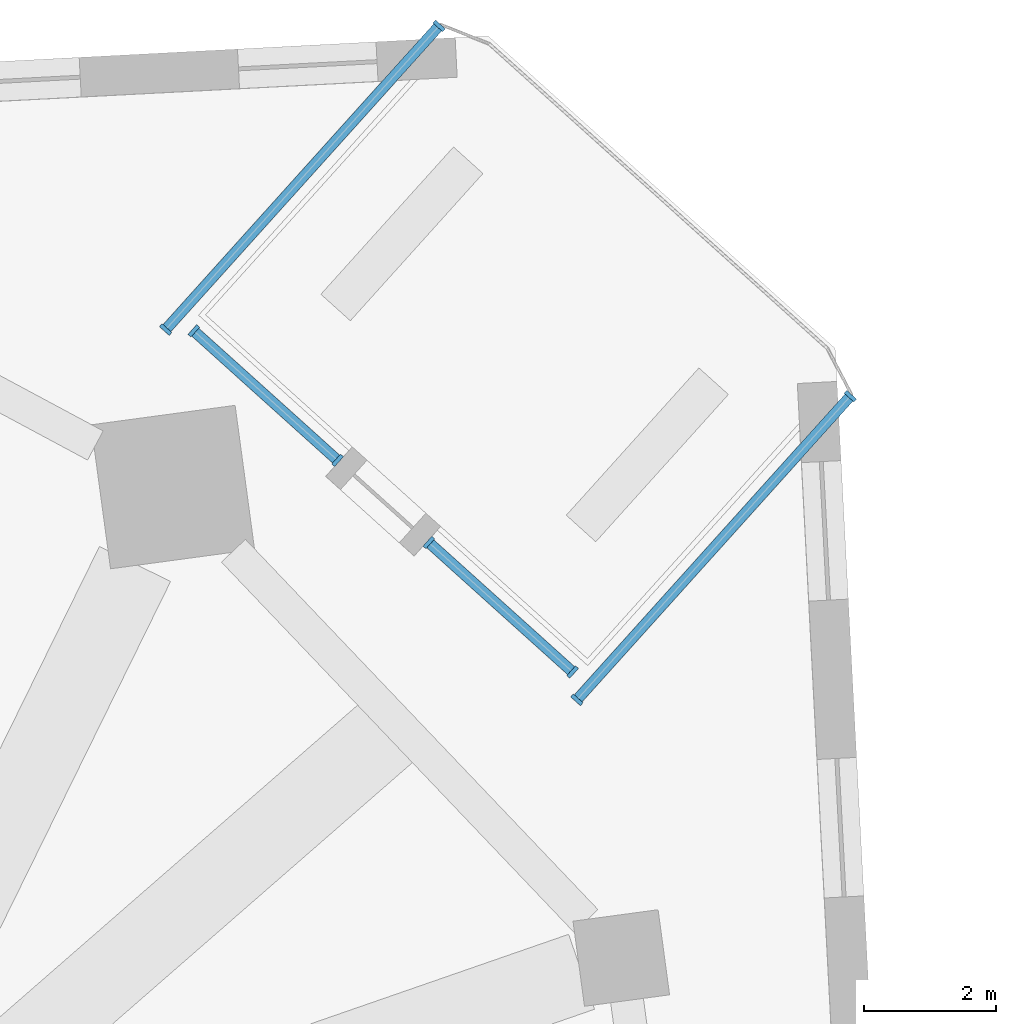
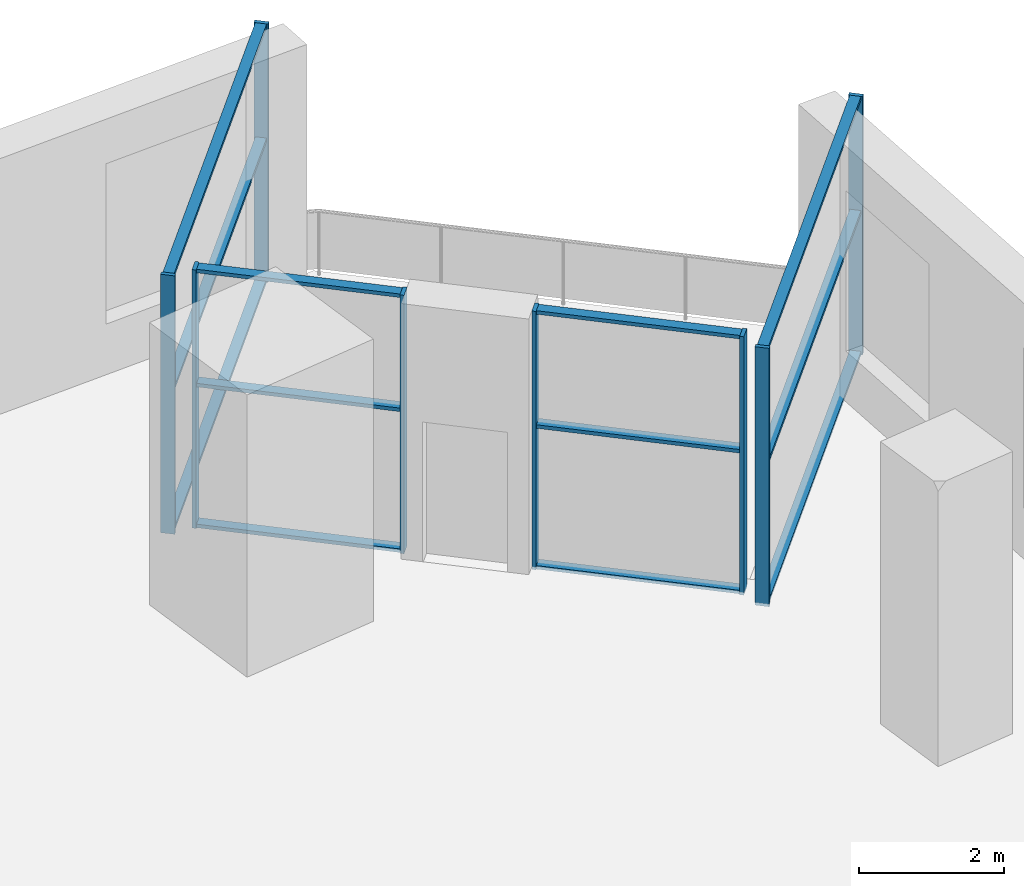
# One storey, part 2 of 10: 20 members, 4 elements without a shape of their own.
"""IFC4 building model written with IfcOpenShell, lengths in metres."""

from ifc_helpers import new_model, si_unit, direction, frame, origin, origin_2d, place, context, subcontext, project, spatial, rectangle, extrude, material, material_profile, profile_set, type_object, element, aggregate, save


model = new_model("IFC4")

# Units and contexts
model_context = context("Model", 3, precision=1e-05, world=origin(), true_north=direction((0.0, 1.0)))
body_context = subcontext(model_context, "Body", "Model", "MODEL_VIEW")
ifc_project = project(units=[si_unit("LENGTHUNIT", "METRE"), si_unit("AREAUNIT", "SQUARE_METRE"), si_unit("VOLUMEUNIT", "CUBIC_METRE"), si_unit("PLANEANGLEUNIT", "RADIAN"), si_unit("MASSUNIT", "GRAM", prefix="KILO")], contexts=[model_context])

# Site, building, storey
site_placement = place(None, origin())
site = spatial("IfcSite", under=ifc_project, at=site_placement, CompositionType="ELEMENT")
building_placement = place(site_placement, origin())
building = spatial("IfcBuilding", under=site, at=building_placement, Name="Dilmun Exchange Tower", CompositionType="ELEMENT")
storey_placement = place(building_placement, frame((0.0, 0.0, 32.10009765625)))
storey = spatial("IfcBuildingStorey", under=building, at=storey_placement, Name="L07", CompositionType="ELEMENT", Elevation=32.10009765625)

# Curtain wall, members
ifc_material_1 = material(Name="Anodised aluminium and clear glass", Category="aluminium")
curtain_wall_type = type_object("IfcCurtainWallType", Name="Garden corner glazing", PredefinedType="NOTDEFINED", material=ifc_material_1)
curtain_wall_1_placement = place(storey_placement, origin())
curtain_wall_1 = element("IfcCurtainWall", 1, at=curtain_wall_1_placement, inside=storey, type_object=curtain_wall_type, Name="Garden corner glazing run GC1.1", PredefinedType="NOTDEFINED")
ifc_material_2 = material(Name="Anodised aluminium", Category="aluminium")
ifc_material_profile_1 = material_profile(ifc_material_2, rectangle(XDim=0.199951171875, YDim=0.06005859375, at=origin_2d()), Name="AL 60x200")
ifc_profile_set_1 = profile_set([ifc_material_profile_1], Name="Anodised aluminium")
member_type_1 = type_object("IfcMemberType", Name="Garden corner glazing mullion 60 x 200", PredefinedType="MULLION", material=ifc_profile_set_1)
member_1_placement = place(storey_placement, frame((28.879638671875, 25.8134765625, 0.0), z_axis=(0.0, 0.0, 1.0), x_axis=(0.743150048737, -0.669124805296, 0.0)))
member_1 = element("IfcMember", 2, at=member_1_placement, type_object=member_type_1, Name="GC1.1 mullion 1", PredefinedType="MULLION", context=body_context, shape_type="SweptSolid", body=[
    extrude(rectangle(XDim=0.199951171875, YDim=0.06005859375, at=origin_2d()), origin(), (0.0, 0.0, 1.0), 4.349853515625),
])
member_2_placement = place(storey_placement, frame((24.739990234375, 21.216064453125, 0.0), z_axis=(0.0, 0.0, 1.0), x_axis=(0.743150048737, -0.669124805296, 0.0)))
member_2 = element("IfcMember", 3, at=member_2_placement, type_object=member_type_1, Name="GC1.1 mullion 2", PredefinedType="MULLION", context=body_context, shape_type="SweptSolid", body=[
    extrude(rectangle(XDim=0.199951171875, YDim=0.06005859375, at=origin_2d()), origin(), (0.0, 0.0, 1.0), 4.349853515625),
])

curtain_wall_2_placement = place(storey_placement, origin())
curtain_wall_2 = element("IfcCurtainWall", 4, at=curtain_wall_2_placement, inside=storey, type_object=curtain_wall_type, Name="Garden corner glazing run GC2.1", PredefinedType="NOTDEFINED")
member_3_placement = place(storey_placement, frame((24.67529296875, 21.637451171875, 0.0), z_axis=(0.0, 0.0, 1.0), x_axis=(-0.669136610404, -0.743139419367, 0.0)))
member_3 = element("IfcMember", 5, at=member_3_placement, type_object=member_type_1, Name="GC2.1 mullion 1", PredefinedType="MULLION", context=body_context, shape_type="SweptSolid", body=[
    extrude(rectangle(XDim=0.199951171875, YDim=0.06005859375, at=origin_2d()), origin(), (0.0, 0.0, 1.0), 4.349853515625),
])
member_4_placement = place(storey_placement, frame((22.498779296875, 23.597412109375, 0.0), z_axis=(0.0, 0.0, 1.0), x_axis=(-0.669136610404, -0.743139419367, 0.0)))
member_4 = element("IfcMember", 6, at=member_4_placement, type_object=member_type_1, Name="GC2.1 mullion 2", PredefinedType="MULLION", context=body_context, shape_type="SweptSolid", body=[
    extrude(rectangle(XDim=0.199951171875, YDim=0.06005859375, at=origin_2d()), origin(), (0.0, 0.0, 1.0), 4.349853515625),
])

curtain_wall_3_placement = place(storey_placement, origin())
curtain_wall_3 = element("IfcCurtainWall", 7, at=curtain_wall_3_placement, inside=storey, type_object=curtain_wall_type, Name="Garden corner glazing run GC2.3", PredefinedType="NOTDEFINED")
member_5_placement = place(storey_placement, frame((21.116455078125, 24.842041015625, 0.0), z_axis=(0.0, 0.0, 1.0), x_axis=(-0.669118133962, -0.743156055484, 0.0)))
member_5 = element("IfcMember", 8, at=member_5_placement, type_object=member_type_1, Name="GC2.3 mullion 1", PredefinedType="MULLION", context=body_context, shape_type="SweptSolid", body=[
    extrude(rectangle(XDim=0.199951171875, YDim=0.06005859375, at=origin_2d()), origin(), (0.0, 0.0, 1.0), 4.349853515625),
])
member_6_placement = place(storey_placement, frame((18.939697265625, 26.802001953125, 0.0), z_axis=(0.0, 0.0, 1.0), x_axis=(-0.669118133962, -0.743156055484, 0.0)))
member_6 = element("IfcMember", 9, at=member_6_placement, type_object=member_type_1, Name="GC2.3 mullion 2", PredefinedType="MULLION", context=body_context, shape_type="SweptSolid", body=[
    extrude(rectangle(XDim=0.199951171875, YDim=0.06005859375, at=origin_2d()), origin(), (0.0, 0.0, 1.0), 4.349853515625),
])

curtain_wall_4_placement = place(storey_placement, origin())
curtain_wall_4 = element("IfcCurtainWall", 10, at=curtain_wall_4_placement, inside=storey, type_object=curtain_wall_type, Name="Garden corner glazing run GC3.1", PredefinedType="NOTDEFINED")
member_7_placement = place(storey_placement, frame((18.513671875, 26.822021484375, 0.0), z_axis=(0.0, 0.0, 1.0), x_axis=(-0.743150048737, 0.669124805296, 0.0)))
member_7 = element("IfcMember", 11, at=member_7_placement, type_object=member_type_1, Name="GC3.1 mullion 1", PredefinedType="MULLION", context=body_context, shape_type="SweptSolid", body=[
    extrude(rectangle(XDim=0.199951171875, YDim=0.06005859375, at=origin_2d()), origin(), (0.0, 0.0, 1.0), 4.349853515625),
])
member_8_placement = place(storey_placement, frame((22.6533203125, 31.419677734375, 0.0), z_axis=(0.0, 0.0, 1.0), x_axis=(-0.743150048737, 0.669124805296, 0.0)))
member_8 = element("IfcMember", 12, at=member_8_placement, type_object=member_type_1, Name="GC3.1 mullion 2", PredefinedType="MULLION", context=body_context, shape_type="SweptSolid", body=[
    extrude(rectangle(XDim=0.199951171875, YDim=0.06005859375, at=origin_2d()), origin(), (0.0, 0.0, 1.0), 4.349853515625),
])

# Member
ifc_material_profile_2 = material_profile(ifc_material_2, rectangle(XDim=0.159912109375, YDim=0.06005859375, at=origin_2d()), Name="AL 60x160")
ifc_profile_set_2 = profile_set([ifc_material_profile_2], Name="Anodised aluminium")
member_type_2 = type_object("IfcMemberType", Name="Garden corner glazing transom 60 x 160", PredefinedType="USERDEFINED", material=ifc_profile_set_2)
member_9_placement = place(storey_placement, frame((28.859375, 25.791259765625, 0.02978515625), z_axis=(-0.669116630944, -0.743157408759, 0.0), x_axis=(0.743157408759, -0.669116630944, 0.0)))
member_9 = element("IfcMember", 13, at=member_9_placement, type_object=member_type_2, Name="GC1.1 transom 1.1", ObjectType="TRANSOM", PredefinedType="USERDEFINED", context=body_context, shape_type="SweptSolid", body=[
    extrude(rectangle(XDim=0.159912109375, YDim=0.06005859375, at=origin_2d()), origin(), (0.0, 0.0, 1.0), 6.12646484375),
])

member_10_placement = place(storey_placement, frame((28.859375, 25.791259765625, 2.39990234375), z_axis=(-0.669116630944, -0.743157408759, 0.0), x_axis=(0.743157408759, -0.669116630944, 0.0)))
member_10 = element("IfcMember", 14, at=member_10_placement, type_object=member_type_2, Name="GC1.1 transom 1.2", ObjectType="TRANSOM", PredefinedType="USERDEFINED", context=body_context, shape_type="SweptSolid", body=[
    extrude(rectangle(XDim=0.159912109375, YDim=0.06005859375, at=origin_2d()), origin(), (0.0, 0.0, 1.0), 6.12646484375),
])

member_11_placement = place(storey_placement, frame((28.859375, 25.791259765625, 4.31982421875), z_axis=(-0.669116630944, -0.743157408759, 0.0), x_axis=(0.743157408759, -0.669116630944, 0.0)))
member_11 = element("IfcMember", 15, at=member_11_placement, type_object=member_type_2, Name="GC1.1 transom 1.3", ObjectType="TRANSOM", PredefinedType="USERDEFINED", context=body_context, shape_type="SweptSolid", body=[
    extrude(rectangle(XDim=0.159912109375, YDim=0.06005859375, at=origin_2d()), origin(), (0.0, 0.0, 1.0), 6.12646484375),
])

aggregate(curtain_wall_1, [member_1, member_2, member_9, member_10, member_11])

member_12_placement = place(storey_placement, frame((24.653076171875, 21.657470703125, 0.02978515625), z_axis=(-0.743112180802, 0.669166860166, 0.0), x_axis=(-0.669166860166, -0.743112180802, 0.0)))
member_12 = element("IfcMember", 16, at=member_12_placement, type_object=member_type_2, Name="GC2.1 transom 1.1", ObjectType="TRANSOM", PredefinedType="USERDEFINED", context=body_context, shape_type="SweptSolid", body=[
    extrude(rectangle(XDim=0.159912109375, YDim=0.06005859375, at=origin_2d()), origin(), (0.0, 0.0, 1.0), 2.869140625),
])

member_13_placement = place(storey_placement, frame((24.653076171875, 21.657470703125, 2.39990234375), z_axis=(-0.743112180802, 0.669166860166, 0.0), x_axis=(-0.669166860166, -0.743112180802, 0.0)))
member_13 = element("IfcMember", 17, at=member_13_placement, type_object=member_type_2, Name="GC2.1 transom 1.2", ObjectType="TRANSOM", PredefinedType="USERDEFINED", context=body_context, shape_type="SweptSolid", body=[
    extrude(rectangle(XDim=0.159912109375, YDim=0.06005859375, at=origin_2d()), origin(), (0.0, 0.0, 1.0), 2.869140625),
])

member_14_placement = place(storey_placement, frame((24.653076171875, 21.657470703125, 4.31982421875), z_axis=(-0.743112180802, 0.669166860166, 0.0), x_axis=(-0.669166860166, -0.743112180802, 0.0)))
member_14 = element("IfcMember", 18, at=member_14_placement, type_object=member_type_2, Name="GC2.1 transom 1.3", ObjectType="TRANSOM", PredefinedType="USERDEFINED", context=body_context, shape_type="SweptSolid", body=[
    extrude(rectangle(XDim=0.159912109375, YDim=0.06005859375, at=origin_2d()), origin(), (0.0, 0.0, 1.0), 2.869140625),
])

aggregate(curtain_wall_2, [member_3, member_4, member_12, member_13, member_14])

member_15_placement = place(storey_placement, frame((21.093994140625, 24.862060546875, 0.02978515625), z_axis=(-0.743154495301, 0.669119866776, 0.0), x_axis=(-0.669119866776, -0.743154495301, 0.0)))
member_15 = element("IfcMember", 19, at=member_15_placement, type_object=member_type_2, Name="GC2.3 transom 1.1", ObjectType="TRANSOM", PredefinedType="USERDEFINED", context=body_context, shape_type="SweptSolid", body=[
    extrude(rectangle(XDim=0.159912109375, YDim=0.06005859375, at=origin_2d()), origin(), (0.0, 0.0, 1.0), 2.868896484375),
])

member_16_placement = place(storey_placement, frame((21.093994140625, 24.862060546875, 2.39990234375), z_axis=(-0.743154495301, 0.669119866776, 0.0), x_axis=(-0.669119866776, -0.743154495301, 0.0)))
member_16 = element("IfcMember", 20, at=member_16_placement, type_object=member_type_2, Name="GC2.3 transom 1.2", ObjectType="TRANSOM", PredefinedType="USERDEFINED", context=body_context, shape_type="SweptSolid", body=[
    extrude(rectangle(XDim=0.159912109375, YDim=0.06005859375, at=origin_2d()), origin(), (0.0, 0.0, 1.0), 2.868896484375),
])

member_17_placement = place(storey_placement, frame((21.093994140625, 24.862060546875, 4.31982421875), z_axis=(-0.743154495301, 0.669119866776, 0.0), x_axis=(-0.669119866776, -0.743154495301, 0.0)))
member_17 = element("IfcMember", 21, at=member_17_placement, type_object=member_type_2, Name="GC2.3 transom 1.3", ObjectType="TRANSOM", PredefinedType="USERDEFINED", context=body_context, shape_type="SweptSolid", body=[
    extrude(rectangle(XDim=0.159912109375, YDim=0.06005859375, at=origin_2d()), origin(), (0.0, 0.0, 1.0), 2.868896484375),
])

aggregate(curtain_wall_3, [member_5, member_6, member_15, member_16, member_17])

member_18_placement = place(storey_placement, frame((18.533935546875, 26.844482421875, 0.02978515625), z_axis=(0.669136446924, 0.743139566568, 0.0), x_axis=(-0.743139566568, 0.669136446924, 0.0)))
member_18 = element("IfcMember", 22, at=member_18_placement, type_object=member_type_2, Name="GC3.1 transom 1.1", ObjectType="TRANSOM", PredefinedType="USERDEFINED", context=body_context, shape_type="SweptSolid", body=[
    extrude(rectangle(XDim=0.159912109375, YDim=0.06005859375, at=origin_2d()), origin(), (0.0, 0.0, 1.0), 6.12646484375),
])

member_19_placement = place(storey_placement, frame((18.533935546875, 26.844482421875, 2.39990234375), z_axis=(0.669136446924, 0.743139566568, 0.0), x_axis=(-0.743139566568, 0.669136446924, 0.0)))
member_19 = element("IfcMember", 23, at=member_19_placement, type_object=member_type_2, Name="GC3.1 transom 1.2", ObjectType="TRANSOM", PredefinedType="USERDEFINED", context=body_context, shape_type="SweptSolid", body=[
    extrude(rectangle(XDim=0.159912109375, YDim=0.06005859375, at=origin_2d()), origin(), (0.0, 0.0, 1.0), 6.12646484375),
])

member_20_placement = place(storey_placement, frame((18.533935546875, 26.844482421875, 4.31982421875), z_axis=(0.669136446924, 0.743139566568, 0.0), x_axis=(-0.743139566568, 0.669136446924, 0.0)))
member_20 = element("IfcMember", 24, at=member_20_placement, type_object=member_type_2, Name="GC3.1 transom 1.3", ObjectType="TRANSOM", PredefinedType="USERDEFINED", context=body_context, shape_type="SweptSolid", body=[
    extrude(rectangle(XDim=0.159912109375, YDim=0.06005859375, at=origin_2d()), origin(), (0.0, 0.0, 1.0), 6.12646484375),
])

aggregate(curtain_wall_4, [member_7, member_8, member_18, member_19, member_20])

save(model, "model.ifc")
